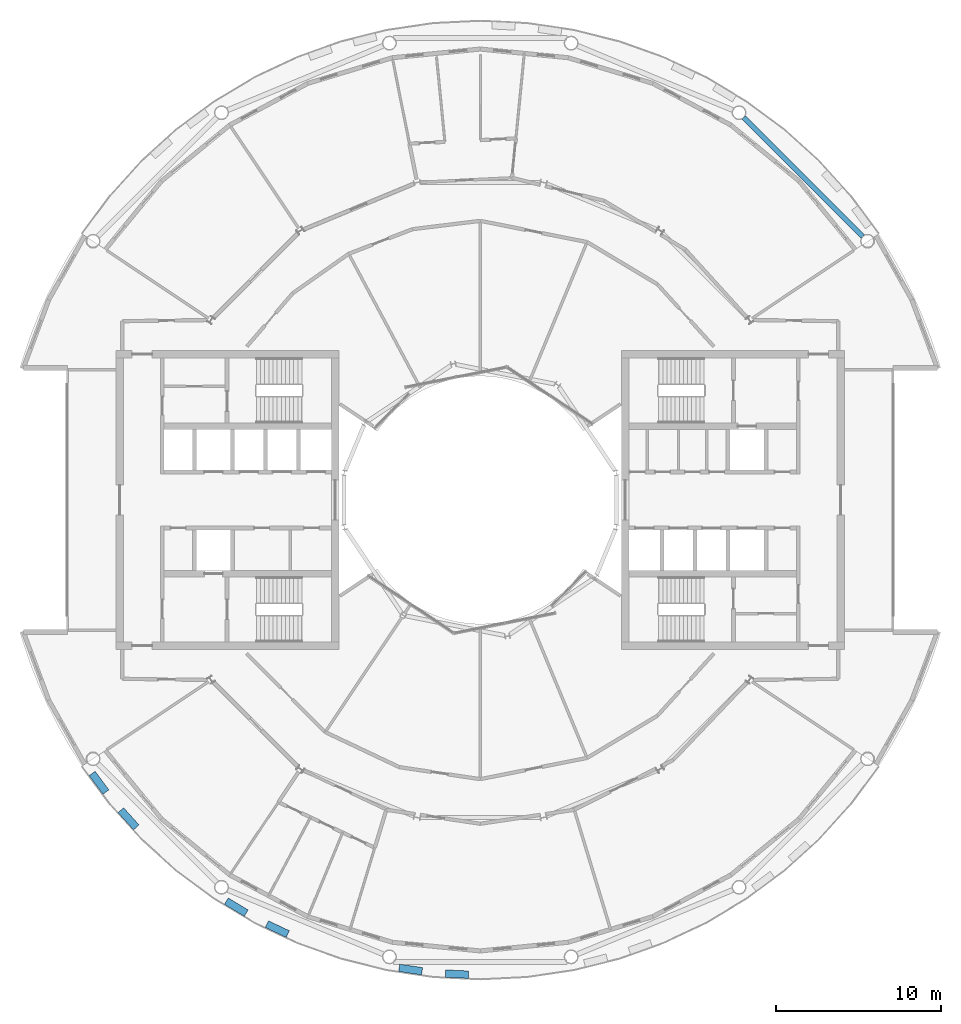
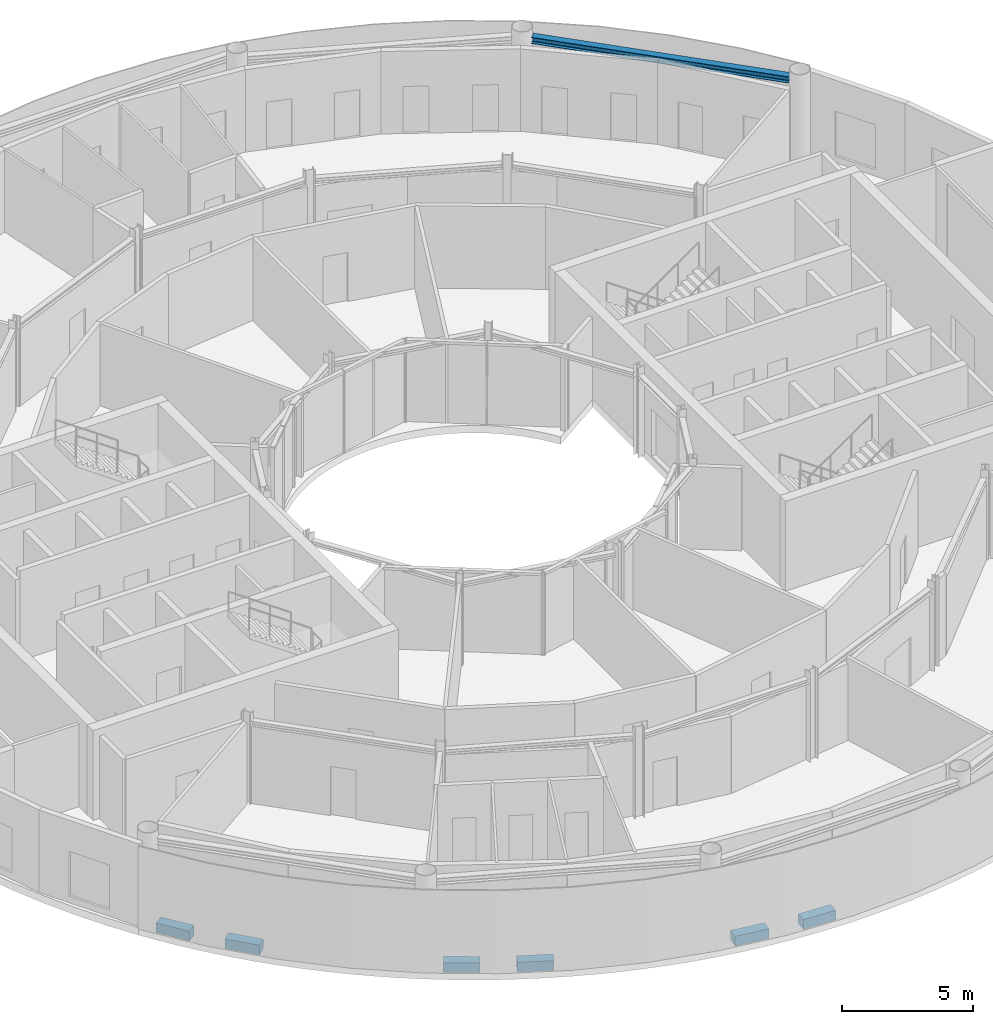
# One storey, part 11 of 22: 6 slabs, 1 beam.
"""IFC4 building model written with IfcOpenShell, lengths in metres."""

from ifc_helpers import new_model, si_unit, direction, frame, origin, origin_2d, place, context, subcontext, project, spatial, polyline, i_section, outline, extrude, material, layer, layer_set, material_profile, profile_set, type_object, element, save


model = new_model("IFC4")

# Units and contexts
model_context = context("Model", 3, precision=1e-05, world=origin(), true_north=direction((0.0, 1.0)))
body_context = subcontext(model_context, "Body", "Model", "MODEL_VIEW")
ifc_project = project(units=[si_unit("LENGTHUNIT", "METRE"), si_unit("AREAUNIT", "SQUARE_METRE"), si_unit("VOLUMEUNIT", "CUBIC_METRE"), si_unit("PLANEANGLEUNIT", "RADIAN"), si_unit("MASSUNIT", "GRAM", prefix="KILO")], contexts=[model_context])

# Site, building, storey
site_placement = place(None, origin())
site = spatial("IfcSite", under=ifc_project, at=site_placement, CompositionType="ELEMENT")
building_placement = place(site_placement, origin())
building = spatial("IfcBuilding", under=site, at=building_placement, Name="Maasbend Ring Residences", CompositionType="ELEMENT")
storey_placement = place(building_placement, frame((0.0, 0.0, 208.5)))
storey = spatial("IfcBuildingStorey", under=building, at=storey_placement, Name="L60", CompositionType="ELEMENT", Elevation=208.5)

# Beam
ifc_material_1 = material(Name="Steel S355J2", Category="steel")
ifc_material_profile = material_profile(ifc_material_1, i_section(OverallWidth=0.300048828125, OverallDepth=0.300048828125, WebThickness=0.010986328125, FlangeThickness=0.01904296875, FilletRadius=0.027099609375, at=origin_2d()), Name="HEB 300")
ifc_profile_set = profile_set([ifc_material_profile], Name="Steel S355J2")
beam_type = type_object("IfcBeamType", Name="Spandrel ring beam HEB 300", PredefinedType="SPANDREL", material=ifc_profile_set)
beam_placement = place(storey_placement, frame((23.159912109375, 15.95458984375, 3.699951171875), z_axis=(-0.707106781187, 0.707106781187, 0.0), x_axis=(-0.707106781187, -0.707106781187, 0.0)))
element("IfcBeam", 1, at=beam_placement, inside=storey, type_object=beam_type, Name="Spandrel ring beam", PredefinedType="SPANDREL", context=body_context, shape_type="SweptSolid", body=[
    extrude(i_section(OverallWidth=0.300048828125, OverallDepth=0.300048828125, WebThickness=0.010986328125, FlangeThickness=0.01904296875, FilletRadius=0.027099609375, at=origin_2d()), origin(), (0.0, 0.0, 1.0), 10.18994140625),
])

# Slabs
ifc_material_2 = material(Name="Planting with climbing greenery")
ifc_layer = layer(ifc_material_2, 0.449951171875)
ifc_layer_set = layer_set([ifc_layer], Name="PLANTER-LG")
slab_type = type_object("IfcSlabType", Name="PLANTER-LG", PredefinedType="USERDEFINED", material=ifc_layer_set)
slab_1_placement = place(storey_placement, frame((0.0, 0.0, -0.030029296875)))
element("IfcSlab", 2, at=slab_1_placement, inside=storey, type_object=slab_type, Name="Planter with climbing greenery 1", ObjectType="PLANTER", PredefinedType="USERDEFINED", context=body_context, shape_type="SweptSolid", body=[
    extrude(outline(polyline([(-23.681884765625, -16.69189453125), (-22.847900390625, -17.81689453125), (-22.487060546875, -17.549072265625), (-23.321044921875, -16.424072265625), (-23.681884765625, -16.69189453125)])), origin(), (0.0, 0.0, 1.0), 0.449951171875),
])
slab_2_placement = place(storey_placement, frame((0.0, 0.0, -0.030029296875)))
element("IfcSlab", 3, at=slab_2_placement, inside=storey, type_object=slab_type, Name="Planter with climbing greenery 2", ObjectType="PLANTER", PredefinedType="USERDEFINED", context=body_context, shape_type="SweptSolid", body=[
    extrude(outline(polyline([(-21.931884765625, -18.93310546875), (-20.991943359375, -19.969970703125), (-20.657958984375, -19.66796875), (-21.597900390625, -18.631103515625), (-21.931884765625, -18.93310546875)])), origin(), (0.0, 0.0, 1.0), 0.449951171875),
])
slab_3_placement = place(storey_placement, frame((0.0, 0.0, -0.030029296875)))
element("IfcSlab", 4, at=slab_3_placement, inside=storey, type_object=slab_type, Name="Planter with climbing greenery 3", ObjectType="PLANTER", PredefinedType="USERDEFINED", context=body_context, shape_type="SweptSolid", body=[
    extrude(outline(polyline([(-15.490966796875, -24.48388671875), (-14.291015625, -25.2041015625), (-14.05908203125, -24.818115234375), (-15.260009765625, -24.097900390625), (-15.490966796875, -24.48388671875)])), origin(), (0.0, 0.0, 1.0), 0.449951171875),
])
slab_4_placement = place(storey_placement, frame((0.0, 0.0, -0.030029296875)))
element("IfcSlab", 5, at=slab_4_placement, inside=storey, type_object=slab_type, Name="Planter with climbing greenery 4", ObjectType="PLANTER", PredefinedType="USERDEFINED", context=body_context, shape_type="SweptSolid", body=[
    extrude(outline(polyline([(-13.01708984375, -25.885009765625), (-11.7509765625, -26.48291015625), (-11.55908203125, -26.076904296875), (-12.824951171875, -25.47802734375), (-13.01708984375, -25.885009765625)])), origin(), (0.0, 0.0, 1.0), 0.449951171875),
])
slab_5_placement = place(storey_placement, frame((0.0, 0.0, -0.030029296875)))
element("IfcSlab", 6, at=slab_5_placement, inside=storey, type_object=slab_type, Name="Planter with climbing greenery 5", ObjectType="PLANTER", PredefinedType="USERDEFINED", context=body_context, shape_type="SweptSolid", body=[
    extrude(outline(polyline([(-4.94189453125, -28.549072265625), (-3.55810546875, -28.75390625), (-3.491943359375, -28.30908203125), (-4.8759765625, -28.10400390625), (-4.94189453125, -28.549072265625)])), origin(), (0.0, 0.0, 1.0), 0.449951171875),
])
slab_6_placement = place(storey_placement, frame((0.0, 0.0, -0.030029296875)))
element("IfcSlab", 7, at=slab_6_placement, inside=storey, type_object=slab_type, Name="Planter with climbing greenery 6", ObjectType="PLANTER", PredefinedType="USERDEFINED", context=body_context, shape_type="SweptSolid", body=[
    extrude(outline(polyline([(-2.1201171875, -28.89599609375), (-0.721923828125, -28.965087890625), (-0.699951171875, -28.514892578125), (-2.097900390625, -28.446044921875), (-2.1201171875, -28.89599609375)])), origin(), (0.0, 0.0, 1.0), 0.449951171875),
])

save(model, "model.ifc")
